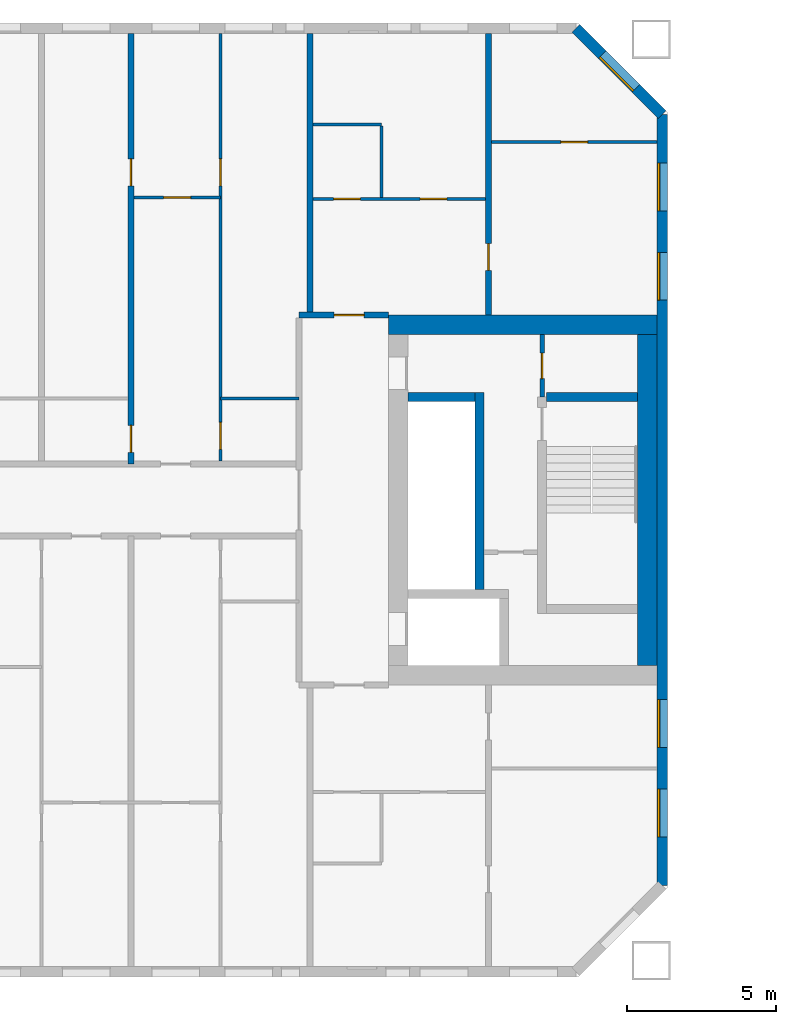
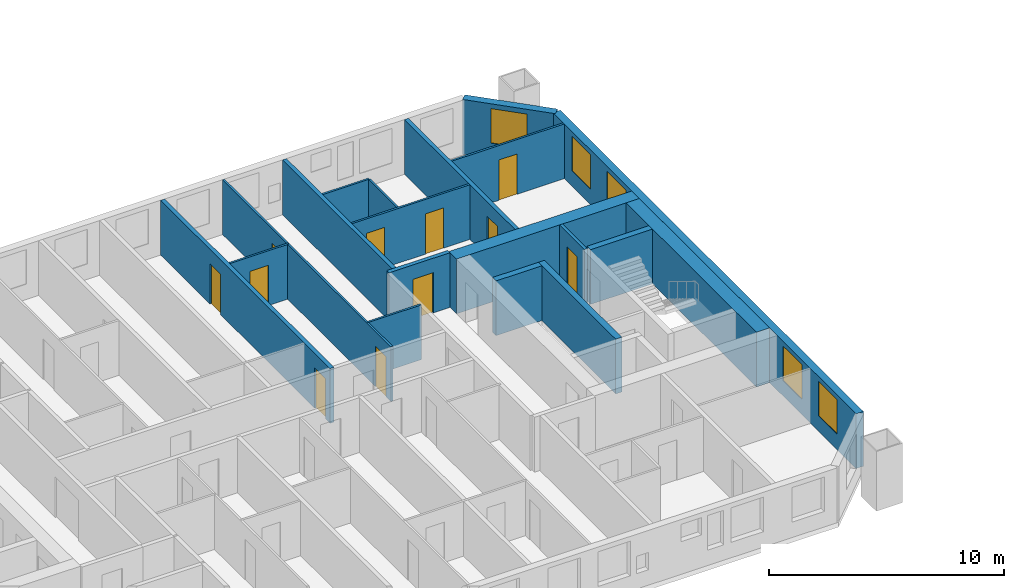
# One storey, part 8 of 17: 19 walls, 11 doors, 5 windows, 16 openings.
"""IFC4 building model written with IfcOpenShell, lengths in metres."""

from ifc_helpers import new_model, si_unit, direction, frame, frame_2d, origin, place, context, subcontext, project, spatial, rectangle, extrude, material, layer, layer_set, type_object, element, fill, save


model = new_model("IFC4")

# Units and contexts
model_context = context("Model", 3, precision=1e-05, world=origin(), true_north=direction((0.0, 1.0)))
body_context = subcontext(model_context, "Body", "Model", "MODEL_VIEW")
ifc_project = project(units=[si_unit("LENGTHUNIT", "METRE"), si_unit("AREAUNIT", "SQUARE_METRE"), si_unit("VOLUMEUNIT", "CUBIC_METRE"), si_unit("PLANEANGLEUNIT", "RADIAN"), si_unit("MASSUNIT", "GRAM", prefix="KILO")], contexts=[model_context])

# Site, building, storey
site_placement = place(None, origin())
site = spatial("IfcSite", under=ifc_project, at=site_placement, CompositionType="ELEMENT")
building_placement = place(site_placement, origin())
building = spatial("IfcBuilding", under=site, at=building_placement, Name="Tuart Gate Housing", CompositionType="ELEMENT")
storey_placement = place(building_placement, frame((0.0, 0.0, 102.60009765625)))
storey = spatial("IfcBuildingStorey", under=building, at=storey_placement, Name="L28", CompositionType="ELEMENT", Elevation=102.60009765625)

# Wall, openings, windows
ifc_material_1 = material(Name="Brick", Category="masonry")
ifc_layer_1 = layer(ifc_material_1, 0.360107421875)
ifc_layer_set_1 = layer_set([ifc_layer_1], Name="Brick pier and spandrel wall 360")
wall_type_1 = type_object("IfcWallType", Name="Brick pier and spandrel wall 360", PredefinedType="STANDARD", material=ifc_layer_set_1)
wall_1_placement = place(storey_placement, frame((75.820068359375, 57.07470703125, 0.0), z_axis=(0.0, 0.0, 1.0), x_axis=(0.0, 1.0, 0.0)))
wall_1 = element("IfcWall", 1, at=wall_1_placement, inside=storey, type_object=wall_type_1, Name="External wall A-E L28", PredefinedType="STANDARD", context=body_context, shape_type="SweptSolid", body=[
    extrude(rectangle(XDim=25.850830078125, YDim=0.360107421875, at=frame_2d((12.92529296875, 0.0))), origin(), (0.0, 0.0, 1.0), 2.849853515625),
])
opening_1_placement = place(wall_1_placement, frame((1.62548828125, 0.0, 0.800048828125)))
opening_1 = element("IfcOpeningElement", 2, at=opening_1_placement, cuts=wall_1, Name="Opening W1", PredefinedType="OPENING", context=body_context, shape_type="SweptSolid", body=[
    extrude(rectangle(XDim=1.60009765625, YDim=1.800048828125, at=frame_2d((0.800048828125, 0.89990234375))), frame((0.0, 0.18994140625, 0.0), z_axis=(0.0, -1.0, 0.0), x_axis=(1.0, 0.0, 0.0)), (0.0, 0.0, 1.0), 0.380126953125),
])
opening_2_placement = place(wall_1_placement, frame((4.62548828125, 0.0, 0.800048828125)))
opening_2 = element("IfcOpeningElement", 3, at=opening_2_placement, cuts=wall_1, Name="Opening W1", PredefinedType="OPENING", context=body_context, shape_type="SweptSolid", body=[
    extrude(rectangle(XDim=1.60009765625, YDim=1.800048828125, at=frame_2d((0.800048828125, 0.89990234375))), frame((0.0, 0.18994140625, 0.0), z_axis=(0.0, -1.0, 0.0), x_axis=(1.0, 0.0, 0.0)), (0.0, 0.0, 1.0), 0.380126953125),
])
opening_3_placement = place(wall_1_placement, frame((19.62548828125, 0.0, 0.800048828125)))
opening_3 = element("IfcOpeningElement", 4, at=opening_3_placement, cuts=wall_1, Name="Opening W1", PredefinedType="OPENING", context=body_context, shape_type="SweptSolid", body=[
    extrude(rectangle(XDim=1.60009765625, YDim=1.800048828125, at=frame_2d((0.800048828125, 0.89990234375))), frame((0.0, 0.18994140625, 0.0), z_axis=(0.0, -1.0, 0.0), x_axis=(1.0, 0.0, 0.0)), (0.0, 0.0, 1.0), 0.380126953125),
])
opening_4_placement = place(wall_1_placement, frame((22.62548828125, 0.0, 0.800048828125)))
opening_4 = element("IfcOpeningElement", 5, at=opening_4_placement, cuts=wall_1, Name="Opening W1", PredefinedType="OPENING", context=body_context, shape_type="SweptSolid", body=[
    extrude(rectangle(XDim=1.60009765625, YDim=1.800048828125, at=frame_2d((0.800048828125, 0.89990234375))), frame((0.0, 0.18994140625, 0.0), z_axis=(0.0, -1.0, 0.0), x_axis=(1.0, 0.0, 0.0)), (0.0, 0.0, 1.0), 0.380126953125),
])
ifc_material_2 = material(Name="Aluminium frame with clear glass", Category="aluminium")
window_type = type_object("IfcWindowType", Name="Punched window 1600 x 1800", PartitioningType="SINGLE_PANEL", PredefinedType="WINDOW", material=ifc_material_2)
window_1_placement = place(opening_1_placement, origin())
window_1 = element("IfcWindow", 6, at=window_1_placement, inside=storey, type_object=window_type, Name="Window W1", OverallHeight=1.800048828125, OverallWidth=1.60009765625, PartitioningType="SINGLE_PANEL", PredefinedType="WINDOW", context=body_context, shape_type="SweptSolid", body=[
    extrude(rectangle(XDim=1.60009765625, YDim=1.800048828125, at=frame_2d((0.800048828125, 0.89990234375))), frame((0.0, 0.150146484375, 0.0), z_axis=(0.0, -1.0, 0.0), x_axis=(1.0, 0.0, 0.0)), (0.0, 0.0, 1.0), 0.06005859375),
])
fill(opening_1, window_1)
window_2_placement = place(opening_2_placement, origin())
window_2 = element("IfcWindow", 7, at=window_2_placement, inside=storey, type_object=window_type, Name="Window W1", OverallHeight=1.800048828125, OverallWidth=1.60009765625, PartitioningType="SINGLE_PANEL", PredefinedType="WINDOW", context=body_context, shape_type="SweptSolid", body=[
    extrude(rectangle(XDim=1.60009765625, YDim=1.800048828125, at=frame_2d((0.800048828125, 0.89990234375))), frame((0.0, 0.150146484375, 0.0), z_axis=(0.0, -1.0, 0.0), x_axis=(1.0, 0.0, 0.0)), (0.0, 0.0, 1.0), 0.06005859375),
])
fill(opening_2, window_2)
window_3_placement = place(opening_3_placement, origin())
window_3 = element("IfcWindow", 8, at=window_3_placement, inside=storey, type_object=window_type, Name="Window W1", OverallHeight=1.800048828125, OverallWidth=1.60009765625, PartitioningType="SINGLE_PANEL", PredefinedType="WINDOW", context=body_context, shape_type="SweptSolid", body=[
    extrude(rectangle(XDim=1.60009765625, YDim=1.800048828125, at=frame_2d((0.800048828125, 0.89990234375))), frame((0.0, 0.150146484375, 0.0), z_axis=(0.0, -1.0, 0.0), x_axis=(1.0, 0.0, 0.0)), (0.0, 0.0, 1.0), 0.06005859375),
])
fill(opening_3, window_3)
window_4_placement = place(opening_4_placement, origin())
window_4 = element("IfcWindow", 9, at=window_4_placement, inside=storey, type_object=window_type, Name="Window W1", OverallHeight=1.800048828125, OverallWidth=1.60009765625, PartitioningType="SINGLE_PANEL", PredefinedType="WINDOW", context=body_context, shape_type="SweptSolid", body=[
    extrude(rectangle(XDim=1.60009765625, YDim=1.800048828125, at=frame_2d((0.800048828125, 0.89990234375))), frame((0.0, 0.150146484375, 0.0), z_axis=(0.0, -1.0, 0.0), x_axis=(1.0, 0.0, 0.0)), (0.0, 0.0, 1.0), 0.06005859375),
])
fill(opening_4, window_4)

# Wall, opening, window
wall_2_placement = place(storey_placement, frame((75.820068359375, 82.92529296875, 0.0), z_axis=(0.0, 0.0, 1.0), x_axis=(-0.707106781187, 0.707106781187, 0.0)))
wall_2 = element("IfcWall", 10, at=wall_2_placement, inside=storey, type_object=wall_type_1, Name="External wall A-NE L28", PredefinedType="STANDARD", context=body_context, shape_type="SweptSolid", body=[
    extrude(rectangle(XDim=4.09375, YDim=0.360107421875, at=frame_2d((2.046875, 0.0))), origin(), (0.0, 0.0, 1.0), 2.849853515625),
])
opening_5_placement = place(wall_2_placement, frame((1.2470703125, 0.0, 0.800048828125)))
opening_5 = element("IfcOpeningElement", 11, at=opening_5_placement, cuts=wall_2, Name="Opening W1", PredefinedType="OPENING", context=body_context, shape_type="SweptSolid", body=[
    extrude(rectangle(XDim=1.60009765625, YDim=1.800048828125, at=frame_2d((0.800048828125, 0.89990234375))), frame((0.0, 0.18994140625, 0.0), z_axis=(0.0, -1.0, 0.0), x_axis=(1.0, 0.0, 0.0)), (0.0, 0.0, 1.0), 0.380126953125),
])
window_5_placement = place(opening_5_placement, origin())
window_5 = element("IfcWindow", 12, at=window_5_placement, inside=storey, type_object=window_type, Name="Window W1", OverallHeight=1.800048828125, OverallWidth=1.60009765625, PartitioningType="SINGLE_PANEL", PredefinedType="WINDOW", context=body_context, shape_type="SweptSolid", body=[
    extrude(rectangle(XDim=1.60009765625, YDim=1.800048828125, at=frame_2d((0.800048828125, 0.89990234375))), frame((0.0, 0.150146484375, 0.0), z_axis=(0.0, -1.0, 0.0), x_axis=(1.0, 0.0, 0.0)), (0.0, 0.0, 1.0), 0.06005859375),
])
fill(opening_5, window_5)

# Wall, opening, door
ifc_material_3 = material(Name="Plasterboard partition")
ifc_layer_2 = layer(ifc_material_3, 0.14990234375)
ifc_layer_set_2 = layer_set([ifc_layer_2], Name="Core partition 150")
wall_type_2 = type_object("IfcWallType", Name="Core partition 150", PredefinedType="PARTITIONING", material=ifc_layer_set_2)
wall_3_placement = place(storey_placement, frame((71.7900390625, 73.449951171875, 0.0), z_axis=(0.0, 0.0, 1.0), x_axis=(0.0, 1.0, 0.0)))
wall_3 = element("IfcWall", 13, at=wall_3_placement, inside=storey, type_object=wall_type_2, Name="Core partition AG.9", PredefinedType="PARTITIONING", context=body_context, shape_type="SweptSolid", body=[
    extrude(rectangle(XDim=2.10009765625, YDim=0.14990234375, at=frame_2d((1.050048828125, 0.0))), origin(), (0.0, 0.0, 1.0), 2.849853515625),
])
opening_6_placement = place(wall_3_placement, frame((0.625, 0.0, 0.0)))
opening_6 = element("IfcOpeningElement", 14, at=opening_6_placement, cuts=wall_3, Name="Opening D1088", PredefinedType="OPENING", context=body_context, shape_type="SweptSolid", body=[
    extrude(rectangle(XDim=0.85009765625, YDim=2.10009765625, at=frame_2d((0.425048828125, 1.050048828125))), frame((0.0, 0.0849609375, 0.0), z_axis=(0.0, -1.0, 0.0), x_axis=(1.0, 0.0, 0.0)), (0.0, 0.0, 1.0), 0.169921875),
])
ifc_material_4 = material(Name="Steel fire door", Category="steel")
door_type_1 = type_object("IfcDoorType", Name="Service door 850 x 2100 RH", OperationType="SINGLE_SWING_RIGHT", PredefinedType="DOOR", material=ifc_material_4)
door_1_placement = place(opening_6_placement, frame((0.85009765625, 0.0, 0.0), z_axis=(0.0, 0.0, 1.0), x_axis=(-1.0, 0.0, 0.0)))
door_1 = element("IfcDoor", 15, at=door_1_placement, inside=storey, type_object=door_type_1, Name="Service room door AG.ST", OperationType="SINGLE_SWING_RIGHT", OverallHeight=2.10009765625, OverallWidth=0.85009765625, PredefinedType="DOOR", context=body_context, shape_type="SweptSolid", body=[
    extrude(rectangle(XDim=0.85009765625, YDim=2.10009765625, at=frame_2d((0.425048828125, 1.050048828125))), frame((0.0, 0.025146484375, 0.0), z_axis=(0.0, -1.0, 0.0), x_axis=(1.0, 0.0, 0.0)), (0.0, 0.0, 1.0), 0.050048828125),
])
fill(opening_6, door_1)

# Walls
ifc_material_5 = material(Name="Concrete C50", Category="concrete")
ifc_layer_3 = layer(ifc_material_5, 0.300048828125)
ifc_layer_set_3 = layer_set([ifc_layer_3], Name="Core wall 300 C50")
wall_type_3 = type_object("IfcWallType", Name="Core wall 300 C50", PredefinedType="SHEAR", material=ifc_layer_set_3)
wall_4_placement = place(storey_placement, frame((67.2900390625, 73.449951171875, 0.0), z_axis=(0.0, 0.0, 1.0), x_axis=(1.0, 0.0, 0.0)))
element("IfcWall", 16, at=wall_4_placement, inside=storey, type_object=wall_type_3, Name="Core wall AG.4", PredefinedType="SHEAR", context=body_context, shape_type="SweptSolid", body=[
    extrude(rectangle(XDim=2.25, YDim=0.300048828125, at=frame_2d((1.125, 0.0))), origin(), (0.0, 0.0, 1.0), 2.849853515625),
])
wall_5_placement = place(storey_placement, frame((71.93994140625, 73.449951171875, 0.0), z_axis=(0.0, 0.0, 1.0), x_axis=(1.0, 0.0, 0.0)))
element("IfcWall", 17, at=wall_5_placement, inside=storey, type_object=wall_type_3, Name="Core wall AG.5", PredefinedType="SHEAR", context=body_context, shape_type="SweptSolid", body=[
    extrude(rectangle(XDim=3.050048828125, YDim=0.300048828125, at=frame_2d((1.52490234375, 0.0))), origin(), (0.0, 0.0, 1.0), 2.849853515625),
])
wall_6_placement = place(storey_placement, frame((69.68994140625, 67.0, 0.0), z_axis=(0.0, 0.0, 1.0), x_axis=(0.0, 1.0, 0.0)))
element("IfcWall", 18, at=wall_6_placement, inside=storey, type_object=wall_type_3, Name="Core wall AG.6", PredefinedType="SHEAR", context=body_context, shape_type="SweptSolid", body=[
    extrude(rectangle(XDim=6.60009765625, YDim=0.300048828125, at=frame_2d((3.300048828125, 0.0))), origin(), (0.0, 0.0, 1.0), 2.849853515625),
])
ifc_material_6 = material(Name="Concrete C50", Category="concrete")
ifc_layer_4 = layer(ifc_material_6, 0.64990234375)
ifc_layer_set_4 = layer_set([ifc_layer_4], Name="Core wall 650 C50")
wall_type_4 = type_object("IfcWallType", Name="Core wall 650 C50", PredefinedType="SHEAR", material=ifc_layer_set_4)
wall_7_placement = place(storey_placement, frame((75.31494140625, 64.449951171875, 0.0), z_axis=(0.0, 0.0, 1.0), x_axis=(0.0, 1.0, 0.0)))
element("IfcWall", 19, at=wall_7_placement, inside=storey, type_object=wall_type_4, Name="Core wall AG back", PredefinedType="SHEAR", context=body_context, shape_type="SweptSolid", body=[
    extrude(rectangle(XDim=11.10009765625, YDim=0.64990234375, at=frame_2d((5.550048828125, 0.0))), origin(), (0.0, 0.0, 1.0), 2.849853515625),
])
wall_8_placement = place(storey_placement, frame((66.639892578125, 75.875, 0.0), z_axis=(0.0, 0.0, 1.0), x_axis=(1.0, 0.0, 0.0)))
element("IfcWall", 20, at=wall_8_placement, inside=storey, type_object=wall_type_4, Name="Core wall AG north", PredefinedType="SHEAR", context=body_context, shape_type="SweptSolid", body=[
    extrude(rectangle(XDim=9.0, YDim=0.64990234375, at=frame_2d((4.5, 0.0))), origin(), (0.0, 0.0, 1.0), 2.849853515625),
])

# Wall, opening, door
ifc_material_7 = material(Name="Concrete masonry 15 MPa", Category="masonry")
ifc_layer_5 = layer(ifc_material_7, 0.199951171875)
ifc_layer_set_5 = layer_set([ifc_layer_5], Name="Enclosure wall masonry 200")
wall_type_5 = type_object("IfcWallType", Name="Enclosure wall masonry 200", PredefinedType="PARTITIONING", material=ifc_layer_set_5)
wall_9_placement = place(storey_placement, frame((63.639892578125, 76.199951171875, 0.0), z_axis=(0.0, 0.0, 1.0), x_axis=(1.0, 0.0, 0.0)))
wall_9 = element("IfcWall", 21, at=wall_9_placement, inside=storey, type_object=wall_type_5, Name="Enclosure wall masonry 200", PredefinedType="PARTITIONING", context=body_context, shape_type="SweptSolid", body=[
    extrude(rectangle(XDim=3.0, YDim=0.199951171875, at=frame_2d((1.5, 0.0))), origin(), (0.0, 0.0, 1.0), 2.849853515625),
])
opening_7_placement = place(wall_9_placement, frame((1.179931640625, 0.0, 0.0)))
opening_7 = element("IfcOpeningElement", 22, at=opening_7_placement, cuts=wall_9, Name="Opening D1087", PredefinedType="OPENING", context=body_context, shape_type="SweptSolid", body=[
    extrude(rectangle(XDim=1.0, YDim=2.10009765625, at=frame_2d((0.5, 1.050048828125))), frame((0.0, 0.10986328125, 0.0), z_axis=(0.0, -1.0, 0.0), x_axis=(1.0, 0.0, 0.0)), (0.0, 0.0, 1.0), 0.219970703125),
])
ifc_material_8 = material(Name="Timber door leaf in steel frame", Category="steel")
door_type_2 = type_object("IfcDoorType", Name="Flat entrance door 1000", OperationType="SINGLE_SWING_LEFT", PredefinedType="DOOR", material=ifc_material_8)
door_2_placement = place(opening_7_placement, origin())
door_2 = element("IfcDoor", 23, at=door_2_placement, inside=storey, type_object=door_type_2, Name="Flat entrance door", OperationType="SINGLE_SWING_LEFT", OverallHeight=2.10009765625, OverallWidth=1.0, PredefinedType="DOOR", context=body_context, shape_type="SweptSolid", body=[
    extrude(rectangle(XDim=1.0, YDim=2.10009765625, at=frame_2d((0.5, 1.050048828125))), frame((0.0, 0.02490234375, 0.0), z_axis=(0.0, -1.0, 0.0), x_axis=(1.0, 0.0, 0.0)), (0.0, 0.0, 1.0), 0.050048828125),
])
fill(opening_7, door_2)

# Wall
ifc_material_9 = material(Name="Gypsum board on steel studs", Category="steel")
ifc_layer_6 = layer(ifc_material_9, 0.10009765625)
ifc_layer_set_6 = layer_set([ifc_layer_6], Name="Partition 100")
wall_type_6 = type_object("IfcWallType", Name="Partition 100", PredefinedType="PARTITIONING", material=ifc_layer_set_6)
wall_10_placement = place(storey_placement, frame((61.0, 73.39990234375, 0.0), z_axis=(0.0, 0.0, 1.0), x_axis=(1.0, 0.0, 0.0)))
element("IfcWall", 24, at=wall_10_placement, inside=storey, type_object=wall_type_6, Name="Partition 100", PredefinedType="PARTITIONING", context=body_context, shape_type="SweptSolid", body=[
    extrude(rectangle(XDim=2.639892578125, YDim=0.10009765625, at=frame_2d((1.31982421875, 0.0))), origin(), (0.0, 0.0, 1.0), 2.849853515625),
])

# Wall, openings, doors
wall_11_placement = place(storey_placement, frame((64.10009765625, 80.10009765625, 0.0), z_axis=(0.0, 0.0, 1.0), x_axis=(1.0, 0.0, 0.0)))
wall_11 = element("IfcWall", 25, at=wall_11_placement, inside=storey, type_object=wall_type_6, Name="Partition 100", PredefinedType="PARTITIONING", context=body_context, shape_type="SweptSolid", body=[
    extrude(rectangle(XDim=5.7998046875, YDim=0.10009765625, at=frame_2d((2.89990234375, 0.0))), origin(), (0.0, 0.0, 1.0), 2.849853515625),
])
opening_8_placement = place(wall_11_placement, frame((3.60009765625, 0.0, 0.0)))
opening_8 = element("IfcOpeningElement", 26, at=opening_8_placement, cuts=wall_11, Name="Opening D1073", PredefinedType="OPENING", context=body_context, shape_type="SweptSolid", body=[
    extrude(rectangle(XDim=0.89990234375, YDim=2.10009765625, at=frame_2d((0.449951171875, 1.050048828125))), frame((0.0, 0.06005859375, 0.0), z_axis=(0.0, -1.0, 0.0), x_axis=(1.0, 0.0, 0.0)), (0.0, 0.0, 1.0), 0.1201171875),
])
opening_9_placement = place(wall_11_placement, frame((0.699951171875, 0.0, 0.0)))
opening_9 = element("IfcOpeningElement", 27, at=opening_9_placement, cuts=wall_11, Name="Opening D1072", PredefinedType="OPENING", context=body_context, shape_type="SweptSolid", body=[
    extrude(rectangle(XDim=0.89990234375, YDim=2.10009765625, at=frame_2d((0.449951171875, 1.050048828125))), frame((0.0, 0.06005859375, 0.0), z_axis=(0.0, -1.0, 0.0), x_axis=(1.0, 0.0, 0.0)), (0.0, 0.0, 1.0), 0.1201171875),
])
ifc_material_10 = material(Name="Timber door leaf in steel frame", Category="steel")
door_type_3 = type_object("IfcDoorType", Name="Bathroom door 900 RH", OperationType="SINGLE_SWING_RIGHT", PredefinedType="DOOR", material=ifc_material_10)
door_3_placement = place(opening_9_placement, origin())
door_3 = element("IfcDoor", 28, at=door_3_placement, inside=storey, type_object=door_type_3, Name="Bathroom door", OperationType="SINGLE_SWING_RIGHT", OverallHeight=2.10009765625, OverallWidth=0.89990234375, PredefinedType="DOOR", context=body_context, shape_type="SweptSolid", body=[
    extrude(rectangle(XDim=0.89990234375, YDim=2.10009765625, at=frame_2d((0.449951171875, 1.050048828125))), frame((0.0, 0.02490234375, 0.0), z_axis=(0.0, -1.0, 0.0), x_axis=(1.0, 0.0, 0.0)), (0.0, 0.0, 1.0), 0.050048828125),
])
fill(opening_9, door_3)
ifc_material_11 = material(Name="Timber door leaf in steel frame", Category="steel")
door_type_4 = type_object("IfcDoorType", Name="Internal door 900", OperationType="SINGLE_SWING_LEFT", PredefinedType="DOOR", material=ifc_material_11)
door_4_placement = place(opening_8_placement, origin())
door_4 = element("IfcDoor", 29, at=door_4_placement, inside=storey, type_object=door_type_4, Name="Internal door", OperationType="SINGLE_SWING_LEFT", OverallHeight=2.10009765625, OverallWidth=0.89990234375, PredefinedType="DOOR", context=body_context, shape_type="SweptSolid", body=[
    extrude(rectangle(XDim=0.89990234375, YDim=2.10009765625, at=frame_2d((0.449951171875, 1.050048828125))), frame((0.0, 0.02490234375, 0.0), z_axis=(0.0, -1.0, 0.0), x_axis=(1.0, 0.0, 0.0)), (0.0, 0.0, 1.0), 0.050048828125),
])
fill(opening_8, door_4)

# Wall, opening, door
wall_12_placement = place(storey_placement, frame((58.10009765625, 80.139892578125, 0.0), z_axis=(0.0, 0.0, 1.0), x_axis=(1.0, 0.0, 0.0)))
wall_12 = element("IfcWall", 30, at=wall_12_placement, inside=storey, type_object=wall_type_6, Name="Partition 100", PredefinedType="PARTITIONING", context=body_context, shape_type="SweptSolid", body=[
    extrude(rectangle(XDim=2.89990234375, YDim=0.10009765625, at=frame_2d((1.449951171875, 0.0))), origin(), (0.0, 0.0, 1.0), 2.849853515625),
])
opening_10_placement = place(wall_12_placement, frame((1.0, 0.0, 0.0)))
opening_10 = element("IfcOpeningElement", 31, at=opening_10_placement, cuts=wall_12, Name="Opening D1068", PredefinedType="OPENING", context=body_context, shape_type="SweptSolid", body=[
    extrude(rectangle(XDim=0.89990234375, YDim=2.10009765625, at=frame_2d((0.449951171875, 1.050048828125))), frame((0.0, 0.06005859375, 0.0), z_axis=(0.0, -1.0, 0.0), x_axis=(1.0, 0.0, 0.0)), (0.0, 0.0, 1.0), 0.1201171875),
])
door_5_placement = place(opening_10_placement, frame((0.89990234375, 0.0, 0.0), z_axis=(0.0, 0.0, 1.0), x_axis=(-1.0, 0.0, 0.0)))
door_5 = element("IfcDoor", 32, at=door_5_placement, inside=storey, type_object=door_type_4, Name="Internal door", OperationType="SINGLE_SWING_LEFT", OverallHeight=2.10009765625, OverallWidth=0.89990234375, PredefinedType="DOOR", context=body_context, shape_type="SweptSolid", body=[
    extrude(rectangle(XDim=0.89990234375, YDim=2.10009765625, at=frame_2d((0.449951171875, 1.050048828125))), frame((0.0, 0.025146484375, 0.0), z_axis=(0.0, -1.0, 0.0), x_axis=(1.0, 0.0, 0.0)), (0.0, 0.0, 1.0), 0.050048828125),
])
fill(opening_10, door_5)

wall_13_placement = place(storey_placement, frame((70.10009765625, 82.0, 0.0), z_axis=(0.0, 0.0, 1.0), x_axis=(1.0, 0.0, 0.0)))
wall_13 = element("IfcWall", 33, at=wall_13_placement, inside=storey, type_object=wall_type_6, Name="Partition 100", PredefinedType="PARTITIONING", context=body_context, shape_type="SweptSolid", body=[
    extrude(rectangle(XDim=5.539794921875, YDim=0.10009765625, at=frame_2d((2.77001953125, 0.0))), origin(), (0.0, 0.0, 1.0), 2.849853515625),
])
opening_11_placement = place(wall_13_placement, frame((2.320068359375, 0.0, 0.0)))
opening_11 = element("IfcOpeningElement", 34, at=opening_11_placement, cuts=wall_13, Name="Opening D1066", PredefinedType="OPENING", context=body_context, shape_type="SweptSolid", body=[
    extrude(rectangle(XDim=0.89990234375, YDim=2.10009765625, at=frame_2d((0.449951171875, 1.050048828125))), frame((0.0, 0.06005859375, 0.0), z_axis=(0.0, -1.0, 0.0), x_axis=(1.0, 0.0, 0.0)), (0.0, 0.0, 1.0), 0.1201171875),
])
ifc_material_12 = material(Name="Timber door leaf in steel frame", Category="steel")
door_type_5 = type_object("IfcDoorType", Name="Internal door 900 RH", OperationType="SINGLE_SWING_RIGHT", PredefinedType="DOOR", material=ifc_material_12)
door_6_placement = place(opening_11_placement, origin())
door_6 = element("IfcDoor", 35, at=door_6_placement, inside=storey, type_object=door_type_5, Name="Internal door", OperationType="SINGLE_SWING_RIGHT", OverallHeight=2.10009765625, OverallWidth=0.89990234375, PredefinedType="DOOR", context=body_context, shape_type="SweptSolid", body=[
    extrude(rectangle(XDim=0.89990234375, YDim=2.10009765625, at=frame_2d((0.449951171875, 1.050048828125))), frame((0.0, 0.02490234375, 0.0), z_axis=(0.0, -1.0, 0.0), x_axis=(1.0, 0.0, 0.0)), (0.0, 0.0, 1.0), 0.050048828125),
])
fill(opening_11, door_6)

# Wall
wall_14_placement = place(storey_placement, frame((64.10009765625, 82.60009765625, 0.0), z_axis=(0.0, 0.0, 1.0), x_axis=(1.0, 0.0, 0.0)))
element("IfcWall", 36, at=wall_14_placement, inside=storey, type_object=wall_type_6, Name="Partition 100", PredefinedType="PARTITIONING", context=body_context, shape_type="SweptSolid", body=[
    extrude(rectangle(XDim=2.2998046875, YDim=0.10009765625, at=frame_2d((1.14990234375, 0.0))), origin(), (0.0, 0.0, 1.0), 2.849853515625),
])

# Wall, openings, doors
wall_15_placement = place(storey_placement, frame((61.0, 71.300048828125, 0.0), z_axis=(0.0, 0.0, 1.0), x_axis=(0.0, 1.0, 0.0)))
wall_15 = element("IfcWall", 37, at=wall_15_placement, inside=storey, type_object=wall_type_6, Name="Partition 100", PredefinedType="PARTITIONING", context=body_context, shape_type="SweptSolid", body=[
    extrude(rectangle(XDim=14.33984375, YDim=0.10009765625, at=frame_2d((7.169921875, 0.0))), origin(), (0.0, 0.0, 1.0), 2.849853515625),
])
opening_12_placement = place(wall_15_placement, frame((9.239990234375, 0.0, 0.0)))
opening_12 = element("IfcOpeningElement", 38, at=opening_12_placement, cuts=wall_15, Name="Opening D1081", PredefinedType="OPENING", context=body_context, shape_type="SweptSolid", body=[
    extrude(rectangle(XDim=0.89990234375, YDim=2.10009765625, at=frame_2d((0.449951171875, 1.050048828125))), frame((0.0, 0.06005859375, 0.0), z_axis=(0.0, -1.0, 0.0), x_axis=(1.0, 0.0, 0.0)), (0.0, 0.0, 1.0), 0.1201171875),
])
opening_13_placement = place(wall_15_placement, frame((0.39990234375, 0.0, 0.0)))
opening_13 = element("IfcOpeningElement", 39, at=opening_13_placement, cuts=wall_15, Name="Opening D1080", PredefinedType="OPENING", context=body_context, shape_type="SweptSolid", body=[
    extrude(rectangle(XDim=0.89990234375, YDim=2.10009765625, at=frame_2d((0.449951171875, 1.050048828125))), frame((0.0, 0.06005859375, 0.0), z_axis=(0.0, -1.0, 0.0), x_axis=(1.0, 0.0, 0.0)), (0.0, 0.0, 1.0), 0.1201171875),
])
door_7_placement = place(opening_13_placement, frame((0.89990234375, 0.0, 0.0), z_axis=(0.0, 0.0, 1.0), x_axis=(-1.0, 0.0, 0.0)))
door_7 = element("IfcDoor", 40, at=door_7_placement, inside=storey, type_object=door_type_3, Name="Bathroom door", OperationType="SINGLE_SWING_RIGHT", OverallHeight=2.10009765625, OverallWidth=0.89990234375, PredefinedType="DOOR", context=body_context, shape_type="SweptSolid", body=[
    extrude(rectangle(XDim=0.89990234375, YDim=2.10009765625, at=frame_2d((0.449951171875, 1.050048828125))), frame((0.0, 0.025146484375, 0.0), z_axis=(0.0, -1.0, 0.0), x_axis=(1.0, 0.0, 0.0)), (0.0, 0.0, 1.0), 0.050048828125),
])
fill(opening_13, door_7)
door_8_placement = place(opening_12_placement, frame((0.89990234375, 0.0, 0.0), z_axis=(0.0, 0.0, 1.0), x_axis=(-1.0, 0.0, 0.0)))
door_8 = element("IfcDoor", 41, at=door_8_placement, inside=storey, type_object=door_type_4, Name="Internal door", OperationType="SINGLE_SWING_LEFT", OverallHeight=2.10009765625, OverallWidth=0.89990234375, PredefinedType="DOOR", context=body_context, shape_type="SweptSolid", body=[
    extrude(rectangle(XDim=0.89990234375, YDim=2.10009765625, at=frame_2d((0.449951171875, 1.050048828125))), frame((0.0, 0.025146484375, 0.0), z_axis=(0.0, -1.0, 0.0), x_axis=(1.0, 0.0, 0.0)), (0.0, 0.0, 1.0), 0.050048828125),
])
fill(opening_12, door_8)

# Wall
wall_16_placement = place(storey_placement, frame((66.39990234375, 80.14990234375, 0.0), z_axis=(0.0, 0.0, 1.0), x_axis=(0.0, 1.0, 0.0)))
element("IfcWall", 42, at=wall_16_placement, inside=storey, type_object=wall_type_6, Name="Partition 100", PredefinedType="PARTITIONING", context=body_context, shape_type="SweptSolid", body=[
    extrude(rectangle(XDim=2.400146484375, YDim=0.10009765625, at=frame_2d((1.2001953125, 0.0))), origin(), (0.0, 0.0, 1.0), 2.849853515625),
])

# Wall, openings, doors
ifc_material_13 = material(Name="Concrete C40", Category="concrete")
ifc_layer_7 = layer(ifc_material_13, 0.199951171875)
ifc_layer_set_7 = layer_set([ifc_layer_7], Name="Party wall concrete C40 200")
wall_type_7 = type_object("IfcWallType", Name="Party wall concrete C40 200", PredefinedType="SOLIDWALL", material=ifc_layer_set_7)
wall_17_placement = place(storey_placement, frame((58.0, 71.199951171875, 0.0), z_axis=(0.0, 0.0, 1.0), x_axis=(0.0, 1.0, 0.0)))
wall_17 = element("IfcWall", 43, at=wall_17_placement, inside=storey, type_object=wall_type_7, Name="Party wall concrete C40 200", PredefinedType="SOLIDWALL", context=body_context, shape_type="SweptSolid", body=[
    extrude(rectangle(XDim=14.43994140625, YDim=0.199951171875, at=frame_2d((7.219970703125, 0.0))), origin(), (0.0, 0.0, 1.0), 2.849853515625),
])
opening_14_placement = place(wall_17_placement, frame((9.340087890625, 0.0, 0.0)))
opening_14 = element("IfcOpeningElement", 44, at=opening_14_placement, cuts=wall_17, Name="Opening D1085", PredefinedType="OPENING", context=body_context, shape_type="SweptSolid", body=[
    extrude(rectangle(XDim=0.89990234375, YDim=2.10009765625, at=frame_2d((0.449951171875, 1.050048828125))), frame((0.0, 0.10986328125, 0.0), z_axis=(0.0, -1.0, 0.0), x_axis=(1.0, 0.0, 0.0)), (0.0, 0.0, 1.0), 0.219970703125),
])
opening_15_placement = place(wall_17_placement, frame((0.39990234375, 0.0, 0.0)))
opening_15 = element("IfcOpeningElement", 45, at=opening_15_placement, cuts=wall_17, Name="Opening D1084", PredefinedType="OPENING", context=body_context, shape_type="SweptSolid", body=[
    extrude(rectangle(XDim=0.89990234375, YDim=2.10009765625, at=frame_2d((0.449951171875, 1.050048828125))), frame((0.0, 0.10986328125, 0.0), z_axis=(0.0, -1.0, 0.0), x_axis=(1.0, 0.0, 0.0)), (0.0, 0.0, 1.0), 0.219970703125),
])
ifc_material_14 = material(Name="Timber door leaf in steel frame", Category="steel")
door_type_6 = type_object("IfcDoorType", Name="Bathroom door 900", OperationType="SINGLE_SWING_LEFT", PredefinedType="DOOR", material=ifc_material_14)
door_9_placement = place(opening_15_placement, origin())
door_9 = element("IfcDoor", 46, at=door_9_placement, inside=storey, type_object=door_type_6, Name="Bathroom door", OperationType="SINGLE_SWING_LEFT", OverallHeight=2.10009765625, OverallWidth=0.89990234375, PredefinedType="DOOR", context=body_context, shape_type="SweptSolid", body=[
    extrude(rectangle(XDim=0.89990234375, YDim=2.10009765625, at=frame_2d((0.449951171875, 1.050048828125))), frame((0.0, 0.02490234375, 0.0), z_axis=(0.0, -1.0, 0.0), x_axis=(1.0, 0.0, 0.0)), (0.0, 0.0, 1.0), 0.050048828125),
])
fill(opening_15, door_9)
door_10_placement = place(opening_14_placement, origin())
door_10 = element("IfcDoor", 47, at=door_10_placement, inside=storey, type_object=door_type_5, Name="Internal door", OperationType="SINGLE_SWING_RIGHT", OverallHeight=2.10009765625, OverallWidth=0.89990234375, PredefinedType="DOOR", context=body_context, shape_type="SweptSolid", body=[
    extrude(rectangle(XDim=0.89990234375, YDim=2.10009765625, at=frame_2d((0.449951171875, 1.050048828125))), frame((0.0, 0.02490234375, 0.0), z_axis=(0.0, -1.0, 0.0), x_axis=(1.0, 0.0, 0.0)), (0.0, 0.0, 1.0), 0.050048828125),
])
fill(opening_14, door_10)

# Wall
wall_18_placement = place(storey_placement, frame((64.0, 76.199951171875, 0.0), z_axis=(0.0, 0.0, 1.0), x_axis=(0.0, 1.0, 0.0)))
element("IfcWall", 48, at=wall_18_placement, inside=storey, type_object=wall_type_7, Name="Party wall concrete C40 200", PredefinedType="SOLIDWALL", context=body_context, shape_type="SweptSolid", body=[
    extrude(rectangle(XDim=9.43994140625, YDim=0.199951171875, at=frame_2d((4.719970703125, 0.0))), origin(), (0.0, 0.0, 1.0), 2.849853515625),
])

# Wall, opening, door
wall_19_placement = place(storey_placement, frame((70.0, 76.199951171875, 0.0), z_axis=(0.0, 0.0, 1.0), x_axis=(0.0, 1.0, 0.0)))
wall_19 = element("IfcWall", 49, at=wall_19_placement, inside=storey, type_object=wall_type_7, Name="Party wall concrete C40 200", PredefinedType="SOLIDWALL", context=body_context, shape_type="SweptSolid", body=[
    extrude(rectangle(XDim=9.43994140625, YDim=0.199951171875, at=frame_2d((4.719970703125, 0.0))), origin(), (0.0, 0.0, 1.0), 2.849853515625),
])
opening_16_placement = place(wall_19_placement, frame((1.5, 0.0, 0.0)))
opening_16 = element("IfcOpeningElement", 50, at=opening_16_placement, cuts=wall_19, Name="Opening D1067", PredefinedType="OPENING", context=body_context, shape_type="SweptSolid", body=[
    extrude(rectangle(XDim=0.89990234375, YDim=2.10009765625, at=frame_2d((0.449951171875, 1.050048828125))), frame((0.0, 0.10986328125, 0.0), z_axis=(0.0, -1.0, 0.0), x_axis=(1.0, 0.0, 0.0)), (0.0, 0.0, 1.0), 0.219970703125),
])
door_11_placement = place(opening_16_placement, origin())
door_11 = element("IfcDoor", 51, at=door_11_placement, inside=storey, type_object=door_type_4, Name="Internal door", OperationType="SINGLE_SWING_LEFT", OverallHeight=2.10009765625, OverallWidth=0.89990234375, PredefinedType="DOOR", context=body_context, shape_type="SweptSolid", body=[
    extrude(rectangle(XDim=0.89990234375, YDim=2.10009765625, at=frame_2d((0.449951171875, 1.050048828125))), frame((0.0, 0.02490234375, 0.0), z_axis=(0.0, -1.0, 0.0), x_axis=(1.0, 0.0, 0.0)), (0.0, 0.0, 1.0), 0.050048828125),
])
fill(opening_16, door_11)

save(model, "model.ifc")
